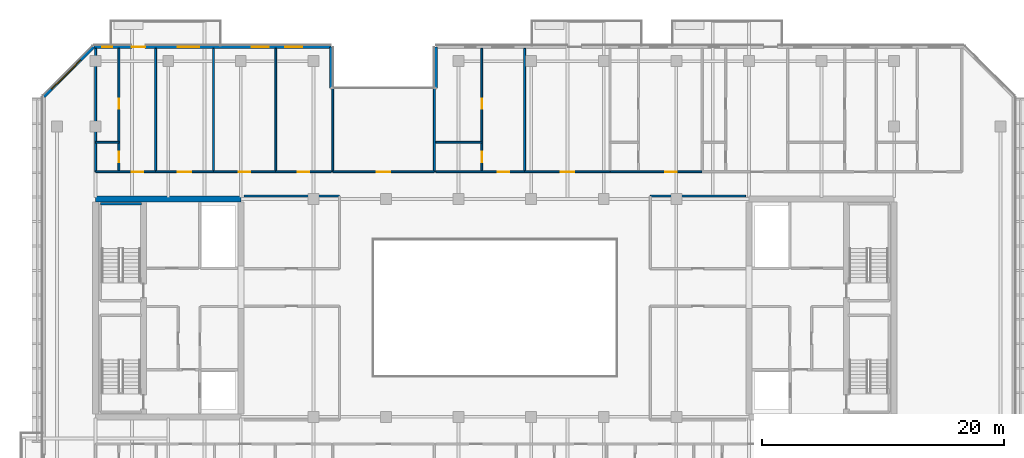
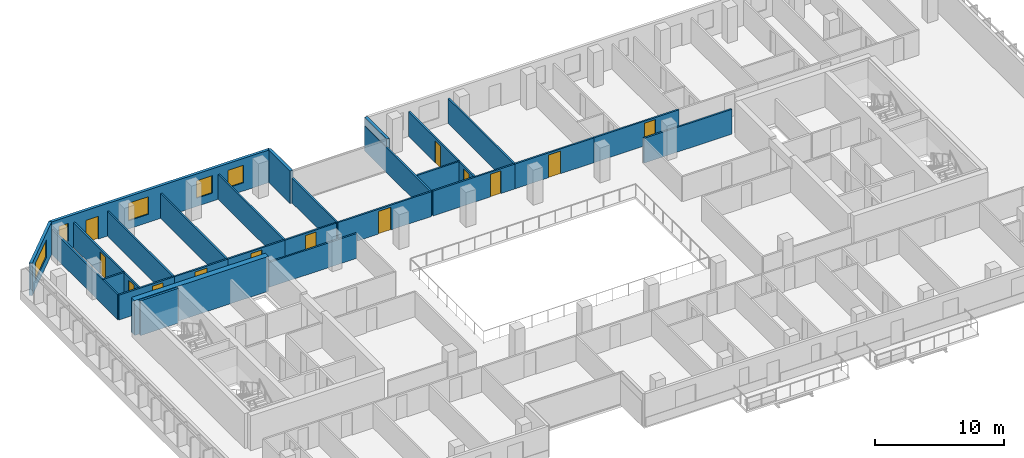
# One storey, part 12 of 19: 27 walls, 13 doors, 5 windows, 18 openings.
"""IFC4 building model written with IfcOpenShell, lengths in metres."""

from ifc_helpers import new_model, si_unit, direction, frame, frame_2d, origin, place, context, subcontext, project, spatial, rectangle, extrude, material, layer, layer_set, type_object, element, fill, save


model = new_model("IFC4")

# Units and contexts
model_context = context("Model", 3, precision=1e-05, world=origin(), true_north=direction((0.0, 1.0)))
body_context = subcontext(model_context, "Body", "Model", "MODEL_VIEW")
ifc_project = project(units=[si_unit("LENGTHUNIT", "METRE"), si_unit("AREAUNIT", "SQUARE_METRE"), si_unit("VOLUMEUNIT", "CUBIC_METRE"), si_unit("PLANEANGLEUNIT", "RADIAN"), si_unit("MASSUNIT", "GRAM", prefix="KILO")], contexts=[model_context])

# Site, building, storey
site_placement = place(None, origin())
site = spatial("IfcSite", under=ifc_project, at=site_placement, CompositionType="ELEMENT")
building_placement = place(site_placement, origin())
building = spatial("IfcBuilding", under=site, at=building_placement, Name="Tanjung Sevakor Pilgrim Tower", CompositionType="ELEMENT")
storey_placement = place(building_placement, frame((0.0, 0.0, 135.300048828125)))
storey = spatial("IfcBuildingStorey", under=building, at=storey_placement, Name="L37", CompositionType="ELEMENT", Elevation=135.300048828125)

# Walls
ifc_material_1 = material(Name="Concrete C60/75", Category="concrete")
ifc_layer_1 = layer(ifc_material_1, 0.5)
ifc_layer_set_1 = layer_set([ifc_layer_1], Name="WALL-CW-500")
wall_type_1 = type_object("IfcWallType", Name="WALL-CW-500", PredefinedType="SHEAR", material=ifc_layer_set_1)
wall_1_placement = place(storey_placement, frame((36.0, 42.60009765625, 0.0), z_axis=(0.0, 0.0, 1.0), x_axis=(-1.0, 0.0, 0.0)))
element("IfcWall", 1, at=wall_1_placement, inside=storey, type_object=wall_type_1, Name="L37 W Core North Shear Wall", PredefinedType="SHEAR", context=body_context, shape_type="SweptSolid", body=[
    extrude(rectangle(XDim=12.0, YDim=0.5, at=frame_2d((6.0, 0.0))), origin(), (0.0, 0.0, 1.0), 3.300048828125),
])
ifc_material_2 = material(Name="Concrete C40/50", Category="concrete")
ifc_layer_2 = layer(ifc_material_2, 0.14990234375)
ifc_layer_set_2 = layer_set([ifc_layer_2], Name="WT-COMP-150")
wall_type_2 = type_object("IfcWallType", Name="WT-COMP-150", PredefinedType="SOLIDWALL", material=ifc_layer_set_2)
for number, where, z_axis, x_axis, name in (
    (2, (36.27001953125, 42.85009765625, 0.0), (0.0, 0.0, 1.0), (1.0, 0.0, 0.0), "L37 Partition IW-L37-023"),
    (3, (69.85009765625, 42.85009765625, 0.0), (0.0, 0.0, 1.0), (1.0, 0.0, 0.0), "L37 Partition IW-L37-029"),
):
    element("IfcWall", number, at=place(storey_placement, frame(where, z_axis=z_axis, x_axis=x_axis)), inside=storey, type_object=wall_type_2, Name=name, PredefinedType="SOLIDWALL", context=body_context, shape_type="SweptSolid", body=[
        extrude(rectangle(XDim=7.8798828125, YDim=0.14990234375, at=frame_2d((3.93994140625, 0.0))), origin(), (0.0, 0.0, 1.0), 2.35009765625),
    ])

# Wall, opening, door
wall_2_placement = place(storey_placement, frame((43.60009765625, 44.85009765625, 0.0), z_axis=(0.0, 0.0, 1.0), x_axis=(1.0, 0.0, 0.0)))
wall_2 = element("IfcWall", 4, at=wall_2_placement, inside=storey, type_object=wall_type_2, Name="L37 Partition IW-L37-034", PredefinedType="SOLIDWALL", context=body_context, shape_type="SweptSolid", body=[
    extrude(rectangle(XDim=8.39990234375, YDim=0.14990234375, at=frame_2d((4.199951171875, 0.0))), origin(), (0.0, 0.0, 1.0), 2.35009765625),
])
opening_1_placement = place(wall_2_placement, frame((3.64990234375, 0.0, 0.0)))
opening_1 = element("IfcOpeningElement", 5, at=opening_1_placement, cuts=wall_2, Name="Opening ID-RM2", PredefinedType="OPENING", context=body_context, shape_type="SweptSolid", body=[
    extrude(rectangle(XDim=1.10009765625, YDim=2.14990234375, at=frame_2d((0.550048828125, 1.074951171875))), frame((0.0, 0.0849609375, 0.0), z_axis=(0.0, -1.0, 0.0), x_axis=(1.0, 0.0, 0.0)), (0.0, 0.0, 1.0), 0.169921875),
])
ifc_material_3 = material(Name="Hardwood Timber", Category="wood")
door_type_1 = type_object("IfcDoorType", Name="DT-INT-1100", OperationType="NOTDEFINED", PredefinedType="DOOR", material=ifc_material_3)
door_1_placement = place(opening_1_placement, origin())
door_1 = element("IfcDoor", 6, at=door_1_placement, inside=storey, type_object=door_type_1, Name="L37 North Cleft Prayer Room Door", OperationType="SINGLE_SWING_LEFT", OverallHeight=2.14990234375, OverallWidth=1.10009765625, PredefinedType="DOOR", context=body_context, shape_type="SweptSolid", body=[
    extrude(rectangle(XDim=1.10009765625, YDim=2.14990234375, at=frame_2d((0.550048828125, 1.074951171875))), frame((0.0, 0.02490234375, 0.0), z_axis=(0.0, -1.0, 0.0), x_axis=(1.0, 0.0, 0.0)), (0.0, 0.0, 1.0), 0.050048828125),
])
fill(opening_1, door_1)

# Walls
for number, where, z_axis, x_axis, name in (
    (7, (43.60009765625, 44.85009765625, 0.0), (0.0, 0.0, 1.0), (0.0, 1.0, 0.0), "L37 Partition IW-L37-035"),
    (8, (52.0, 44.85009765625, 0.0), (0.0, 0.0, 1.0), (0.0, 1.0, 0.0), "L37 Partition IW-L37-036"),
    (9, (24.0, 44.85009765625, 0.0), (0.0, 0.0, 1.0), (0.0, 1.0, 0.0), "L37 Partition IW-L37-068"),
    (10, (28.9619140625, 44.85009765625, 0.0), (0.0, 0.0, 1.0), (0.0, 1.0, 0.0), "L37 Partition IW-L37-069"),
):
    element("IfcWall", number, at=place(storey_placement, frame(where, z_axis=z_axis, x_axis=x_axis)), inside=storey, type_object=wall_type_2, Name=name, PredefinedType="SOLIDWALL", context=body_context, shape_type="SweptSolid", body=[
        extrude(rectangle(XDim=10.199951171875, YDim=0.14990234375, at=frame_2d((5.10009765625, 0.0))), origin(), (0.0, 0.0, 1.0), 2.35009765625),
    ])

# Wall, opening, door
wall_3_placement = place(storey_placement, frame((24.0, 44.85009765625, 0.0), z_axis=(0.0, 0.0, 1.0), x_axis=(1.0, 0.0, 0.0)))
wall_3 = element("IfcWall", 11, at=wall_3_placement, inside=storey, type_object=wall_type_2, Name="L37 Partition IW-L37-072", PredefinedType="SOLIDWALL", context=body_context, shape_type="SweptSolid", body=[
    extrude(rectangle(XDim=4.9619140625, YDim=0.14990234375, at=frame_2d((2.48095703125, 0.0))), origin(), (0.0, 0.0, 1.0), 2.35009765625),
])
opening_2_placement = place(wall_3_placement, frame((3.005859375, 0.0, 0.0)))
opening_2 = element("IfcOpeningElement", 12, at=opening_2_placement, cuts=wall_3, Name="Opening ID-FD2", PredefinedType="OPENING", context=body_context, shape_type="SweptSolid", body=[
    extrude(rectangle(XDim=0.949951171875, YDim=2.14990234375, at=frame_2d((0.47509765625, 1.074951171875))), frame((0.0, 0.0849609375, 0.0), z_axis=(0.0, -1.0, 0.0), x_axis=(1.0, 0.0, 0.0)), (0.0, 0.0, 1.0), 0.169921875),
])
ifc_material_4 = material(Name="Fire-Rated Timber", Category="wood")
door_type_2 = type_object("IfcDoorType", Name="DT-FIRE-950", OperationType="NOTDEFINED", PredefinedType="DOOR", material=ifc_material_4)
door_2_placement = place(opening_2_placement, origin())
door_2 = element("IfcDoor", 13, at=door_2_placement, inside=storey, type_object=door_type_2, Name="Hostel Quad Entrance", OperationType="SINGLE_SWING_LEFT", OverallHeight=2.14990234375, OverallWidth=0.949951171875, PredefinedType="DOOR", context=body_context, shape_type="SweptSolid", body=[
    extrude(rectangle(XDim=0.949951171875, YDim=2.14990234375, at=frame_2d((0.47509765625, 1.074951171875))), frame((0.0, 0.02490234375, 0.0), z_axis=(0.0, -1.0, 0.0), x_axis=(1.0, 0.0, 0.0)), (0.0, 0.0, 1.0), 0.050048828125),
])
fill(opening_2, door_2)

# Wall
wall_4_placement = place(storey_placement, frame((33.739990234375, 44.85009765625, 0.0), z_axis=(0.0, 0.0, 1.0), x_axis=(0.0, 1.0, 0.0)))
element("IfcWall", 14, at=wall_4_placement, inside=storey, type_object=wall_type_2, Name="L37 Partition IW-L37-073", PredefinedType="SOLIDWALL", context=body_context, shape_type="SweptSolid", body=[
    extrude(rectangle(XDim=10.199951171875, YDim=0.14990234375, at=frame_2d((5.10009765625, 0.0))), origin(), (0.0, 0.0, 1.0), 2.35009765625),
])

# Wall, opening, door
wall_5_placement = place(storey_placement, frame((28.9619140625, 44.85009765625, 0.0), z_axis=(0.0, 0.0, 1.0), x_axis=(1.0, 0.0, 0.0)))
wall_5 = element("IfcWall", 15, at=wall_5_placement, inside=storey, type_object=wall_type_2, Name="L37 Partition IW-L37-074", PredefinedType="SOLIDWALL", context=body_context, shape_type="SweptSolid", body=[
    extrude(rectangle(XDim=4.778076171875, YDim=0.14990234375, at=frame_2d((2.38916015625, 0.0))), origin(), (0.0, 0.0, 1.0), 2.35009765625),
])
opening_3_placement = place(wall_5_placement, frame((1.839111328125, 0.0, 0.0)))
opening_3 = element("IfcOpeningElement", 16, at=opening_3_placement, cuts=wall_5, Name="Opening ID-FD0", PredefinedType="OPENING", context=body_context, shape_type="SweptSolid", body=[
    extrude(rectangle(XDim=1.10009765625, YDim=2.14990234375, at=frame_2d((0.550048828125, 1.074951171875))), frame((0.0, 0.0849609375, 0.0), z_axis=(0.0, -1.0, 0.0), x_axis=(1.0, 0.0, 0.0)), (0.0, 0.0, 1.0), 0.169921875),
])
ifc_material_5 = material(Name="Fire-Rated Steel S355J2", Category="steel")
door_type_3 = type_object("IfcDoorType", Name="DT-FIRE-1100", OperationType="NOTDEFINED", PredefinedType="DOOR", material=ifc_material_5)
door_3_placement = place(opening_3_placement, origin())
door_3 = element("IfcDoor", 17, at=door_3_placement, inside=storey, type_object=door_type_3, Name="Seminar Room Door", OperationType="SINGLE_SWING_RIGHT", OverallHeight=2.14990234375, OverallWidth=1.10009765625, PredefinedType="DOOR", context=body_context, shape_type="SweptSolid", body=[
    extrude(rectangle(XDim=1.10009765625, YDim=2.14990234375, at=frame_2d((0.550048828125, 1.074951171875))), frame((0.0, 0.02490234375, 0.0), z_axis=(0.0, -1.0, 0.0), x_axis=(1.0, 0.0, 0.0)), (0.0, 0.0, 1.0), 0.050048828125),
])
fill(opening_3, door_3)

# Wall
wall_6_placement = place(storey_placement, frame((38.8857421875, 44.85009765625, 0.0), z_axis=(0.0, 0.0, 1.0), x_axis=(0.0, 1.0, 0.0)))
element("IfcWall", 18, at=wall_6_placement, inside=storey, type_object=wall_type_2, Name="L37 Partition IW-L37-075", PredefinedType="SOLIDWALL", context=body_context, shape_type="SweptSolid", body=[
    extrude(rectangle(XDim=10.199951171875, YDim=0.14990234375, at=frame_2d((5.10009765625, 0.0))), origin(), (0.0, 0.0, 1.0), 2.35009765625),
])

# Wall, opening, door
wall_7_placement = place(storey_placement, frame((33.739990234375, 44.85009765625, 0.0), z_axis=(0.0, 0.0, 1.0), x_axis=(1.0, 0.0, 0.0)))
wall_7 = element("IfcWall", 19, at=wall_7_placement, inside=storey, type_object=wall_type_2, Name="L37 Partition IW-L37-076", PredefinedType="SOLIDWALL", context=body_context, shape_type="SweptSolid", body=[
    extrude(rectangle(XDim=5.145751953125, YDim=0.14990234375, at=frame_2d((2.57275390625, 0.0))), origin(), (0.0, 0.0, 1.0), 2.35009765625),
])
opening_4_placement = place(wall_7_placement, frame((2.097900390625, 0.0, 0.0)))
opening_4 = element("IfcOpeningElement", 20, at=opening_4_placement, cuts=wall_7, Name="Opening ID-FD2", PredefinedType="OPENING", context=body_context, shape_type="SweptSolid", body=[
    extrude(rectangle(XDim=0.949951171875, YDim=2.14990234375, at=frame_2d((0.47509765625, 1.074951171875))), frame((0.0, 0.0849609375, 0.0), z_axis=(0.0, -1.0, 0.0), x_axis=(1.0, 0.0, 0.0)), (0.0, 0.0, 1.0), 0.169921875),
])
door_4_placement = place(opening_4_placement, origin())
door_4 = element("IfcDoor", 21, at=door_4_placement, inside=storey, type_object=door_type_2, Name="Study Room Entrance", OperationType="SINGLE_SWING_LEFT", OverallHeight=2.14990234375, OverallWidth=0.949951171875, PredefinedType="DOOR", context=body_context, shape_type="SweptSolid", body=[
    extrude(rectangle(XDim=0.949951171875, YDim=2.14990234375, at=frame_2d((0.47509765625, 1.074951171875))), frame((0.0, 0.02490234375, 0.0), z_axis=(0.0, -1.0, 0.0), x_axis=(1.0, 0.0, 0.0)), (0.0, 0.0, 1.0), 0.050048828125),
])
fill(opening_4, door_4)

wall_8_placement = place(storey_placement, frame((38.8857421875, 44.85009765625, 0.0), z_axis=(0.0, 0.0, 1.0), x_axis=(1.0, 0.0, 0.0)))
wall_8 = element("IfcWall", 22, at=wall_8_placement, inside=storey, type_object=wall_type_2, Name="L37 Partition IW-L37-077", PredefinedType="SOLIDWALL", context=body_context, shape_type="SweptSolid", body=[
    extrude(rectangle(XDim=4.59423828125, YDim=0.14990234375, at=frame_2d((2.297119140625, 0.0))), origin(), (0.0, 0.0, 1.0), 2.35009765625),
])
opening_5_placement = place(wall_8_placement, frame((1.822021484375, 0.0, 0.0)))
opening_5 = element("IfcOpeningElement", 23, at=opening_5_placement, cuts=wall_8, Name="Opening ID-FD2", PredefinedType="OPENING", context=body_context, shape_type="SweptSolid", body=[
    extrude(rectangle(XDim=0.949951171875, YDim=2.14990234375, at=frame_2d((0.47509765625, 1.074951171875))), frame((0.0, 0.0849609375, 0.0), z_axis=(0.0, -1.0, 0.0), x_axis=(1.0, 0.0, 0.0)), (0.0, 0.0, 1.0), 0.169921875),
])
door_5_placement = place(opening_5_placement, origin())
door_5 = element("IfcDoor", 24, at=door_5_placement, inside=storey, type_object=door_type_2, Name="Study Room Entrance", OperationType="SINGLE_SWING_RIGHT", OverallHeight=2.14990234375, OverallWidth=0.949951171875, PredefinedType="DOOR", context=body_context, shape_type="SweptSolid", body=[
    extrude(rectangle(XDim=0.949951171875, YDim=2.14990234375, at=frame_2d((0.47509765625, 1.074951171875))), frame((0.0, 0.02490234375, 0.0), z_axis=(0.0, -1.0, 0.0), x_axis=(1.0, 0.0, 0.0)), (0.0, 0.0, 1.0), 0.050048828125),
])
fill(opening_5, door_5)

# Wall
wall_9_placement = place(storey_placement, frame((59.457275390625, 44.85009765625, 0.0), z_axis=(0.0, 0.0, 1.0), x_axis=(0.0, 1.0, 0.0)))
element("IfcWall", 25, at=wall_9_placement, inside=storey, type_object=wall_type_2, Name="L37 Partition IW-L37-079", PredefinedType="SOLIDWALL", context=body_context, shape_type="SweptSolid", body=[
    extrude(rectangle(XDim=10.199951171875, YDim=0.14990234375, at=frame_2d((5.10009765625, 0.0))), origin(), (0.0, 0.0, 1.0), 2.35009765625),
])

# Wall, opening, door
wall_10_placement = place(storey_placement, frame((52.1201171875, 44.85009765625, 0.0), z_axis=(0.0, 0.0, 1.0), x_axis=(1.0, 0.0, 0.0)))
wall_10 = element("IfcWall", 26, at=wall_10_placement, inside=storey, type_object=wall_type_2, Name="L37 Partition IW-L37-082", PredefinedType="SOLIDWALL", context=body_context, shape_type="SweptSolid", body=[
    extrude(rectangle(XDim=7.337158203125, YDim=0.14990234375, at=frame_2d((3.66845703125, 0.0))), origin(), (0.0, 0.0, 1.0), 2.35009765625),
])
opening_6_placement = place(wall_10_placement, frame((5.133544921875, 0.0, 0.0)))
opening_6 = element("IfcOpeningElement", 27, at=opening_6_placement, cuts=wall_10, Name="Opening ID-FD2", PredefinedType="OPENING", context=body_context, shape_type="SweptSolid", body=[
    extrude(rectangle(XDim=0.949951171875, YDim=2.14990234375, at=frame_2d((0.47509765625, 1.074951171875))), frame((0.0, 0.0849609375, 0.0), z_axis=(0.0, -1.0, 0.0), x_axis=(1.0, 0.0, 0.0)), (0.0, 0.0, 1.0), 0.169921875),
])
door_6_placement = place(opening_6_placement, origin())
door_6 = element("IfcDoor", 28, at=door_6_placement, inside=storey, type_object=door_type_2, Name="Hostel Quad Entrance", OperationType="SINGLE_SWING_LEFT", OverallHeight=2.14990234375, OverallWidth=0.949951171875, PredefinedType="DOOR", context=body_context, shape_type="SweptSolid", body=[
    extrude(rectangle(XDim=0.949951171875, YDim=2.14990234375, at=frame_2d((0.47509765625, 1.074951171875))), frame((0.0, 0.02490234375, 0.0), z_axis=(0.0, -1.0, 0.0), x_axis=(1.0, 0.0, 0.0)), (0.0, 0.0, 1.0), 0.050048828125),
])
fill(opening_6, door_6)

wall_11_placement = place(storey_placement, frame((59.457275390625, 44.85009765625, 0.0), z_axis=(0.0, 0.0, 1.0), x_axis=(1.0, 0.0, 0.0)))
wall_11 = element("IfcWall", 29, at=wall_11_placement, inside=storey, type_object=wall_type_2, Name="L37 Partition IW-L37-084", PredefinedType="SOLIDWALL", context=body_context, shape_type="SweptSolid", body=[
    extrude(rectangle(XDim=7.0654296875, YDim=0.14990234375, at=frame_2d((3.53271484375, 0.0))), origin(), (0.0, 0.0, 1.0), 2.35009765625),
])
opening_7_placement = place(wall_11_placement, frame((2.98291015625, 0.0, 0.0)))
opening_7 = element("IfcOpeningElement", 30, at=opening_7_placement, cuts=wall_11, Name="Opening ID-FD0", PredefinedType="OPENING", context=body_context, shape_type="SweptSolid", body=[
    extrude(rectangle(XDim=1.10009765625, YDim=2.14990234375, at=frame_2d((0.550048828125, 1.074951171875))), frame((0.0, 0.0849609375, 0.0), z_axis=(0.0, -1.0, 0.0), x_axis=(1.0, 0.0, 0.0)), (0.0, 0.0, 1.0), 0.169921875),
])
door_7_placement = place(opening_7_placement, origin())
door_7 = element("IfcDoor", 31, at=door_7_placement, inside=storey, type_object=door_type_3, Name="Communal Lounge Door", OperationType="SINGLE_SWING_RIGHT", OverallHeight=2.14990234375, OverallWidth=1.10009765625, PredefinedType="DOOR", context=body_context, shape_type="SweptSolid", body=[
    extrude(rectangle(XDim=1.10009765625, YDim=2.14990234375, at=frame_2d((0.550048828125, 1.074951171875))), frame((0.0, 0.02490234375, 0.0), z_axis=(0.0, -1.0, 0.0), x_axis=(1.0, 0.0, 0.0)), (0.0, 0.0, 1.0), 0.050048828125),
])
fill(opening_7, door_7)

wall_12_placement = place(storey_placement, frame((66.522705078125, 44.85009765625, 0.0), z_axis=(0.0, 0.0, 1.0), x_axis=(1.0, 0.0, 0.0)))
wall_12 = element("IfcWall", 32, at=wall_12_placement, inside=storey, type_object=wall_type_2, Name="L37 Partition IW-L37-088", PredefinedType="SOLIDWALL", context=body_context, shape_type="SweptSolid", body=[
    extrude(rectangle(XDim=7.60888671875, YDim=0.14990234375, at=frame_2d((3.804443359375, 0.0))), origin(), (0.0, 0.0, 1.0), 2.35009765625),
])
opening_8_placement = place(wall_12_placement, frame((4.54443359375, 0.0, 0.0)))
opening_8 = element("IfcOpeningElement", 33, at=opening_8_placement, cuts=wall_12, Name="Opening ID-FD2", PredefinedType="OPENING", context=body_context, shape_type="SweptSolid", body=[
    extrude(rectangle(XDim=0.949951171875, YDim=2.14990234375, at=frame_2d((0.47509765625, 1.074951171875))), frame((0.0, 0.0849609375, 0.0), z_axis=(0.0, -1.0, 0.0), x_axis=(1.0, 0.0, 0.0)), (0.0, 0.0, 1.0), 0.169921875),
])
door_8_placement = place(opening_8_placement, origin())
door_8 = element("IfcDoor", 34, at=door_8_placement, inside=storey, type_object=door_type_2, Name="Hostel Quad Entrance", OperationType="SINGLE_SWING_LEFT", OverallHeight=2.14990234375, OverallWidth=0.949951171875, PredefinedType="DOOR", context=body_context, shape_type="SweptSolid", body=[
    extrude(rectangle(XDim=0.949951171875, YDim=2.14990234375, at=frame_2d((0.47509765625, 1.074951171875))), frame((0.0, 0.02490234375, 0.0), z_axis=(0.0, -1.0, 0.0), x_axis=(1.0, 0.0, 0.0)), (0.0, 0.0, 1.0), 0.050048828125),
])
fill(opening_8, door_8)

# Walls
ifc_material_6 = material(Name="Precast concrete C45/55", Category="concrete")
ifc_layer_3 = layer(ifc_material_6, 0.25)
ifc_layer_set_3 = layer_set([ifc_layer_3], Name="WT-EW-STN3")
wall_type_3 = type_object("IfcWallType", Name="WT-EW-STN3", PredefinedType="SOLIDWALL", material=ifc_layer_set_3)
for number, where, z_axis, x_axis, name in (
    (35, (52.125, 55.175048828125, 0.0), (0.0, 0.0, 1.0), (0.0, -1.0, 0.0), "L37 MAIN Exterior Wall 10"),
    (36, (43.47509765625, 51.77490234375, 0.0), (0.0, 0.0, 1.0), (0.0, 1.0, 0.0), "L37 MAIN Exterior Wall 12"),
):
    element("IfcWall", number, at=place(storey_placement, frame(where, z_axis=z_axis, x_axis=x_axis)), inside=storey, type_object=wall_type_3, Name=name, PredefinedType="SOLIDWALL", context=body_context, shape_type="SweptSolid", body=[
        extrude(rectangle(XDim=3.400146484375, YDim=0.25, at=frame_2d((1.7001953125, 0.0))), origin(), (0.0, 0.0, 1.0), 3.080078125),
    ])

# Wall, openings, door, windows
wall_13_placement = place(storey_placement, frame((43.47509765625, 55.175048828125, 0.0), z_axis=(0.0, 0.0, 1.0), x_axis=(-1.0, 0.0, 0.0)))
wall_13 = element("IfcWall", 37, at=wall_13_placement, inside=storey, type_object=wall_type_3, Name="L37 MAIN Exterior Wall 13", PredefinedType="SOLIDWALL", context=body_context, shape_type="SweptSolid", body=[
    extrude(rectangle(XDim=19.623291015625, YDim=0.25, at=frame_2d((9.8115234375, 0.0))), origin(), (0.0, 0.0, 1.0), 3.080078125),
])
opening_9_placement = place(wall_13_placement, frame((15.375, 0.0, 0.0)))
opening_9 = element("IfcOpeningElement", 38, at=opening_9_placement, cuts=wall_13, Name="Opening ED-BAL-1100", PredefinedType="OPENING", context=body_context, shape_type="SweptSolid", body=[
    extrude(rectangle(XDim=1.10009765625, YDim=2.14990234375, at=frame_2d((0.550048828125, 1.074951171875))), frame((0.0, 0.135009765625, 0.0), z_axis=(0.0, -1.0, 0.0), x_axis=(1.0, 0.0, 0.0)), (0.0, 0.0, 1.0), 0.27001953125),
])
opening_10_placement = place(wall_13_placement, frame((18.080078125, 0.0, 0.780029296875)))
opening_10 = element("IfcOpeningElement", 39, at=opening_10_placement, cuts=wall_13, Name="Opening WN-SLM", PredefinedType="OPENING", context=body_context, shape_type="SweptSolid", body=[
    extrude(rectangle(XDim=0.85009765625, YDim=1.64990234375, at=frame_2d((0.425048828125, 0.824951171875))), frame((0.0, 0.135009765625, 0.0), z_axis=(0.0, -1.0, 0.0), x_axis=(1.0, 0.0, 0.0)), (0.0, 0.0, 1.0), 0.27001953125),
])
opening_11_placement = place(wall_13_placement, frame((10.904052734375, 0.0, 0.780029296875)))
opening_11 = element("IfcOpeningElement", 40, at=opening_11_placement, cuts=wall_13, Name="Opening WN-Z3-1660", PredefinedType="OPENING", context=body_context, shape_type="SweptSolid", body=[
    extrude(rectangle(XDim=1.800048828125, YDim=1.659912109375, at=frame_2d((0.89990234375, 0.830078125))), frame((0.0, 0.135009765625, 0.0), z_axis=(0.0, -1.0, 0.0), x_axis=(1.0, 0.0, 0.0)), (0.0, 0.0, 1.0), 0.27001953125),
])
opening_12_placement = place(wall_13_placement, frame((5.18212890625, 0.0, 0.780029296875)))
opening_12 = element("IfcOpeningElement", 41, at=opening_12_placement, cuts=wall_13, Name="Opening WN-END", PredefinedType="OPENING", context=body_context, shape_type="SweptSolid", body=[
    extrude(rectangle(XDim=1.39990234375, YDim=1.64990234375, at=frame_2d((0.699951171875, 0.824951171875))), frame((0.0, 0.135009765625, 0.0), z_axis=(0.0, -1.0, 0.0), x_axis=(1.0, 0.0, 0.0)), (0.0, 0.0, 1.0), 0.27001953125),
])
opening_13_placement = place(wall_13_placement, frame((2.39208984375, 0.0, 0.780029296875)))
opening_13 = element("IfcOpeningElement", 42, at=opening_13_placement, cuts=wall_13, Name="Opening WN-END", PredefinedType="OPENING", context=body_context, shape_type="SweptSolid", body=[
    extrude(rectangle(XDim=1.39990234375, YDim=1.64990234375, at=frame_2d((0.699951171875, 0.824951171875))), frame((0.0, 0.135009765625, 0.0), z_axis=(0.0, -1.0, 0.0), x_axis=(1.0, 0.0, 0.0)), (0.0, 0.0, 1.0), 0.27001953125),
])
ifc_material_7 = material(Name="Anodised Aluminium and Laminated Glass", Category="aluminium")
door_type_4 = type_object("IfcDoorType", Name="DTYP-ED-BAL-1100", OperationType="NOTDEFINED", PredefinedType="DOOR", material=ifc_material_7)
door_9_placement = place(opening_9_placement, frame((1.10009765625, 0.0, 0.0), z_axis=(0.0, 0.0, 1.0), x_axis=(-1.0, 0.0, 0.0)))
door_9 = element("IfcDoor", 43, at=door_9_placement, inside=storey, type_object=door_type_4, Name="L37 Balcony Door MAIN-N1", OperationType="SINGLE_SWING_RIGHT", OverallHeight=2.14990234375, OverallWidth=1.10009765625, PredefinedType="DOOR", context=body_context, shape_type="SweptSolid", body=[
    extrude(rectangle(XDim=1.10009765625, YDim=2.14990234375, at=frame_2d((0.550048828125, 1.074951171875))), frame((0.0, 0.02490234375, 0.0), z_axis=(0.0, -1.0, 0.0), x_axis=(1.0, 0.0, 0.0)), (0.0, 0.0, 1.0), 0.050048828125),
])
fill(opening_9, door_9)
ifc_material_8 = material(Name="Thermally Broken Aluminium and Low-E Glass", Category="aluminium")
window_type_1 = type_object("IfcWindowType", Name="WTYP-WN-END", PartitioningType="SINGLE_PANEL", PredefinedType="WINDOW", material=ifc_material_8)
window_1_placement = place(opening_12_placement, origin())
window_1 = element("IfcWindow", 44, at=window_1_placement, inside=storey, type_object=window_type_1, Name="L37 Facade Window 03", OverallHeight=1.64990234375, OverallWidth=1.39990234375, PartitioningType="SINGLE_PANEL", PredefinedType="WINDOW", context=body_context, shape_type="SweptSolid", body=[
    extrude(rectangle(XDim=1.39990234375, YDim=1.64990234375, at=frame_2d((0.699951171875, 0.824951171875))), frame((0.0, 0.030029296875, 0.0), z_axis=(0.0, -1.0, 0.0), x_axis=(1.0, 0.0, 0.0)), (0.0, 0.0, 1.0), 0.06005859375),
])
fill(opening_12, window_1)
window_2_placement = place(opening_13_placement, origin())
window_2 = element("IfcWindow", 45, at=window_2_placement, inside=storey, type_object=window_type_1, Name="L37 Facade Window 04", OverallHeight=1.64990234375, OverallWidth=1.39990234375, PartitioningType="SINGLE_PANEL", PredefinedType="WINDOW", context=body_context, shape_type="SweptSolid", body=[
    extrude(rectangle(XDim=1.39990234375, YDim=1.64990234375, at=frame_2d((0.699951171875, 0.824951171875))), frame((0.0, 0.030029296875, 0.0), z_axis=(0.0, -1.0, 0.0), x_axis=(1.0, 0.0, 0.0)), (0.0, 0.0, 1.0), 0.06005859375),
])
fill(opening_13, window_2)
ifc_material_9 = material(Name="Thermally Broken Aluminium and Low-E Glass", Category="aluminium")
window_type_2 = type_object("IfcWindowType", Name="WTYP-WN-SLM", PartitioningType="SINGLE_PANEL", PredefinedType="WINDOW", material=ifc_material_9)
window_3_placement = place(opening_10_placement, origin())
window_3 = element("IfcWindow", 46, at=window_3_placement, inside=storey, type_object=window_type_2, Name="L37 Facade Window 01", OverallHeight=1.64990234375, OverallWidth=0.85009765625, PartitioningType="SINGLE_PANEL", PredefinedType="WINDOW", context=body_context, shape_type="SweptSolid", body=[
    extrude(rectangle(XDim=0.85009765625, YDim=1.64990234375, at=frame_2d((0.425048828125, 0.824951171875))), frame((0.0, 0.030029296875, 0.0), z_axis=(0.0, -1.0, 0.0), x_axis=(1.0, 0.0, 0.0)), (0.0, 0.0, 1.0), 0.06005859375),
])
fill(opening_10, window_3)
ifc_material_10 = material(Name="Thermally Broken Aluminium and Low-E Glass", Category="aluminium")
window_type_3 = type_object("IfcWindowType", Name="WTYP-WN-Z3-1660", PartitioningType="DOUBLE_PANEL_VERTICAL", PredefinedType="WINDOW", material=ifc_material_10)
window_4_placement = place(opening_11_placement, origin())
window_4 = element("IfcWindow", 47, at=window_4_placement, inside=storey, type_object=window_type_3, Name="L37 Facade Window 02", OverallHeight=1.659912109375, OverallWidth=1.800048828125, PartitioningType="SINGLE_PANEL", PredefinedType="WINDOW", context=body_context, shape_type="SweptSolid", body=[
    extrude(rectangle(XDim=1.800048828125, YDim=1.659912109375, at=frame_2d((0.89990234375, 0.830078125))), frame((0.0, 0.030029296875, 0.0), z_axis=(0.0, -1.0, 0.0), x_axis=(1.0, 0.0, 0.0)), (0.0, 0.0, 1.0), 0.06005859375),
])
fill(opening_11, window_4)

# Wall, opening, window
wall_14_placement = place(storey_placement, frame((23.851806640625, 55.175048828125, 0.0), z_axis=(0.0, 0.0, 1.0), x_axis=(-0.70708586489, -0.707127696864, 0.0)))
wall_14 = element("IfcWall", 48, at=wall_14_placement, inside=storey, type_object=wall_type_3, Name="L37 MAIN Sculpted Corner Wall 13", PredefinedType="SOLIDWALL", context=body_context, shape_type="SweptSolid", body=[
    extrude(rectangle(XDim=5.836181640625, YDim=0.25, at=frame_2d((2.91796875, 0.0))), origin(), (0.0, 0.0, 1.0), 3.080078125),
])
opening_14_placement = place(wall_14_placement, frame((1.5380859375, 0.0, 0.780029296875)))
opening_14 = element("IfcOpeningElement", 49, at=opening_14_placement, cuts=wall_14, Name="Opening WN-CHM-1660", PredefinedType="OPENING", context=body_context, shape_type="SweptSolid", body=[
    extrude(rectangle(XDim=3.39990234375, YDim=1.659912109375, at=frame_2d((1.699951171875, 0.830078125))), frame((0.0, 0.135009765625, 0.0), z_axis=(0.0, -1.0, 0.0), x_axis=(1.0, 0.0, 0.0)), (0.0, 0.0, 1.0), 0.27001953125),
])
ifc_material_11 = material(Name="Thermally Broken Aluminium and Low-E Glass", Category="aluminium")
window_type_4 = type_object("IfcWindowType", Name="WTYP-WN-CHM-1660", PartitioningType="DOUBLE_PANEL_VERTICAL", PredefinedType="WINDOW", material=ifc_material_11)
window_5_placement = place(opening_14_placement, origin())
window_5 = element("IfcWindow", 50, at=window_5_placement, inside=storey, type_object=window_type_4, Name="L37 Facade Window 01", OverallHeight=1.659912109375, OverallWidth=3.39990234375, PartitioningType="SINGLE_PANEL", PredefinedType="WINDOW", context=body_context, shape_type="SweptSolid", body=[
    extrude(rectangle(XDim=3.39990234375, YDim=1.659912109375, at=frame_2d((1.699951171875, 0.830078125))), frame((0.0, 0.030029296875, 0.0), z_axis=(0.0, -1.0, 0.0), x_axis=(1.0, 0.0, 0.0)), (0.0, 0.0, 1.0), 0.06005859375),
])
fill(opening_14, window_5)

# Walls
ifc_material_12 = material(Name="Concrete C40/50", Category="concrete")
ifc_layer_4 = layer(ifc_material_12, 0.199951171875)
ifc_layer_set_4 = layer_set([ifc_layer_4], Name="WT-FIRE-200")
wall_type_4 = type_object("IfcWallType", Name="WT-FIRE-200", PredefinedType="SOLIDWALL", material=ifc_layer_set_4)
wall_15_placement = place(storey_placement, frame((27.800048828125, 42.199951171875, 0.0), z_axis=(0.0, 0.0, 1.0), x_axis=(-1.0, 0.0, 0.0)))
element("IfcWall", 51, at=wall_15_placement, inside=storey, type_object=wall_type_4, Name="L37 TS-W2 Shaft Wall 2", PredefinedType="SOLIDWALL", context=body_context, shape_type="SweptSolid", body=[
    extrude(rectangle(XDim=3.400146484375, YDim=0.199951171875, at=frame_2d((1.7001953125, 0.0))), origin(), (0.0, 0.0, 1.0), 3.300048828125),
])
ifc_material_13 = material(Name="Gypsum Board Partition", Category="gypsum board")
ifc_layer_5 = layer(ifc_material_13, 0.14990234375)
ifc_layer_set_5 = layer_set([ifc_layer_5], Name="WT-PART-150")
wall_type_5 = type_object("IfcWallType", Name="WT-PART-150", PredefinedType="PARTITIONING", material=ifc_layer_set_5)
wall_16_placement = place(storey_placement, frame((24.0, 47.300048828125, 0.0), z_axis=(0.0, 0.0, 1.0), x_axis=(1.0, 0.0, 0.0)))
element("IfcWall", 52, at=wall_16_placement, inside=storey, type_object=wall_type_5, Name="L37 Partition IW-L37-070", PredefinedType="PARTITIONING", context=body_context, shape_type="SweptSolid", body=[
    extrude(rectangle(XDim=1.919921875, YDim=0.14990234375, at=frame_2d((0.9599609375, 0.0))), origin(), (0.0, 0.0, 1.0), 2.35009765625),
])

# Wall, openings, doors
wall_17_placement = place(storey_placement, frame((25.919921875, 44.85009765625, 0.0), z_axis=(0.0, 0.0, 1.0), x_axis=(0.0, 1.0, 0.0)))
wall_17 = element("IfcWall", 53, at=wall_17_placement, inside=storey, type_object=wall_type_5, Name="L37 Partition IW-L37-071", PredefinedType="PARTITIONING", context=body_context, shape_type="SweptSolid", body=[
    extrude(rectangle(XDim=10.199951171875, YDim=0.14990234375, at=frame_2d((5.10009765625, 0.0))), origin(), (0.0, 0.0, 1.0), 2.35009765625),
])
opening_15_placement = place(wall_17_placement, frame((0.800048828125, 0.0, 0.0)))
opening_15 = element("IfcOpeningElement", 54, at=opening_15_placement, cuts=wall_17, Name="Opening ID-WC1", PredefinedType="OPENING", context=body_context, shape_type="SweptSolid", body=[
    extrude(rectangle(XDim=0.85009765625, YDim=2.10009765625, at=frame_2d((0.425048828125, 1.050048828125))), frame((0.0, 0.0849609375, 0.0), z_axis=(0.0, -1.0, 0.0), x_axis=(1.0, 0.0, 0.0)), (0.0, 0.0, 1.0), 0.169921875),
])
opening_16_placement = place(wall_17_placement, frame((5.2099609375, 0.0, 0.0)))
opening_16 = element("IfcOpeningElement", 55, at=opening_16_placement, cuts=wall_17, Name="Opening ID-WC1", PredefinedType="OPENING", context=body_context, shape_type="SweptSolid", body=[
    extrude(rectangle(XDim=0.85009765625, YDim=2.10009765625, at=frame_2d((0.425048828125, 1.050048828125))), frame((0.0, 0.0849609375, 0.0), z_axis=(0.0, -1.0, 0.0), x_axis=(1.0, 0.0, 0.0)), (0.0, 0.0, 1.0), 0.169921875),
])
ifc_material_14 = material(Name="Moisture-Resistant Timber", Category="wood")
door_type_5 = type_object("IfcDoorType", Name="DT-INT-850", OperationType="NOTDEFINED", PredefinedType="DOOR", material=ifc_material_14)
door_10_placement = place(opening_15_placement, origin())
door_10 = element("IfcDoor", 56, at=door_10_placement, inside=storey, type_object=door_type_5, Name="Bathroom Door", OperationType="SINGLE_SWING_LEFT", OverallHeight=2.10009765625, OverallWidth=0.85009765625, PredefinedType="DOOR", context=body_context, shape_type="SweptSolid", body=[
    extrude(rectangle(XDim=0.85009765625, YDim=2.10009765625, at=frame_2d((0.425048828125, 1.050048828125))), frame((0.0, 0.02490234375, 0.0), z_axis=(0.0, -1.0, 0.0), x_axis=(1.0, 0.0, 0.0)), (0.0, 0.0, 1.0), 0.050048828125),
])
fill(opening_15, door_10)
door_11_placement = place(opening_16_placement, origin())
door_11 = element("IfcDoor", 57, at=door_11_placement, inside=storey, type_object=door_type_5, Name="Study Nook Door", OperationType="SINGLE_SWING_RIGHT", OverallHeight=2.10009765625, OverallWidth=0.85009765625, PredefinedType="DOOR", context=body_context, shape_type="SweptSolid", body=[
    extrude(rectangle(XDim=0.85009765625, YDim=2.10009765625, at=frame_2d((0.425048828125, 1.050048828125))), frame((0.0, 0.02490234375, 0.0), z_axis=(0.0, -1.0, 0.0), x_axis=(1.0, 0.0, 0.0)), (0.0, 0.0, 1.0), 0.050048828125),
])
fill(opening_16, door_11)

# Wall
wall_18_placement = place(storey_placement, frame((52.1201171875, 47.300048828125, 0.0), z_axis=(0.0, 0.0, 1.0), x_axis=(1.0, 0.0, 0.0)))
element("IfcWall", 58, at=wall_18_placement, inside=storey, type_object=wall_type_5, Name="L37 Partition IW-L37-080", PredefinedType="PARTITIONING", context=body_context, shape_type="SweptSolid", body=[
    extrude(rectangle(XDim=3.7998046875, YDim=0.14990234375, at=frame_2d((1.89990234375, 0.0))), origin(), (0.0, 0.0, 1.0), 2.35009765625),
])

# Wall, openings, doors
wall_19_placement = place(storey_placement, frame((55.919921875, 44.85009765625, 0.0), z_axis=(0.0, 0.0, 1.0), x_axis=(0.0, 1.0, 0.0)))
wall_19 = element("IfcWall", 59, at=wall_19_placement, inside=storey, type_object=wall_type_5, Name="L37 Partition IW-L37-081", PredefinedType="PARTITIONING", context=body_context, shape_type="SweptSolid", body=[
    extrude(rectangle(XDim=10.199951171875, YDim=0.14990234375, at=frame_2d((5.10009765625, 0.0))), origin(), (0.0, 0.0, 1.0), 2.35009765625),
])
opening_17_placement = place(wall_19_placement, frame((0.800048828125, 0.0, 0.0)))
opening_17 = element("IfcOpeningElement", 60, at=opening_17_placement, cuts=wall_19, Name="Opening ID-WC1", PredefinedType="OPENING", context=body_context, shape_type="SweptSolid", body=[
    extrude(rectangle(XDim=0.85009765625, YDim=2.10009765625, at=frame_2d((0.425048828125, 1.050048828125))), frame((0.0, 0.0849609375, 0.0), z_axis=(0.0, -1.0, 0.0), x_axis=(1.0, 0.0, 0.0)), (0.0, 0.0, 1.0), 0.169921875),
])
opening_18_placement = place(wall_19_placement, frame((5.2099609375, 0.0, 0.0)))
opening_18 = element("IfcOpeningElement", 61, at=opening_18_placement, cuts=wall_19, Name="Opening ID-WC1", PredefinedType="OPENING", context=body_context, shape_type="SweptSolid", body=[
    extrude(rectangle(XDim=0.85009765625, YDim=2.10009765625, at=frame_2d((0.425048828125, 1.050048828125))), frame((0.0, 0.0849609375, 0.0), z_axis=(0.0, -1.0, 0.0), x_axis=(1.0, 0.0, 0.0)), (0.0, 0.0, 1.0), 0.169921875),
])
door_12_placement = place(opening_17_placement, origin())
door_12 = element("IfcDoor", 62, at=door_12_placement, inside=storey, type_object=door_type_5, Name="Bathroom Door", OperationType="SINGLE_SWING_LEFT", OverallHeight=2.10009765625, OverallWidth=0.85009765625, PredefinedType="DOOR", context=body_context, shape_type="SweptSolid", body=[
    extrude(rectangle(XDim=0.85009765625, YDim=2.10009765625, at=frame_2d((0.425048828125, 1.050048828125))), frame((0.0, 0.02490234375, 0.0), z_axis=(0.0, -1.0, 0.0), x_axis=(1.0, 0.0, 0.0)), (0.0, 0.0, 1.0), 0.050048828125),
])
fill(opening_17, door_12)
door_13_placement = place(opening_18_placement, origin())
door_13 = element("IfcDoor", 63, at=door_13_placement, inside=storey, type_object=door_type_5, Name="Study Nook Door", OperationType="SINGLE_SWING_RIGHT", OverallHeight=2.10009765625, OverallWidth=0.85009765625, PredefinedType="DOOR", context=body_context, shape_type="SweptSolid", body=[
    extrude(rectangle(XDim=0.85009765625, YDim=2.10009765625, at=frame_2d((0.425048828125, 1.050048828125))), frame((0.0, 0.02490234375, 0.0), z_axis=(0.0, -1.0, 0.0), x_axis=(1.0, 0.0, 0.0)), (0.0, 0.0, 1.0), 0.050048828125),
])
fill(opening_18, door_13)

save(model, "model.ifc")
